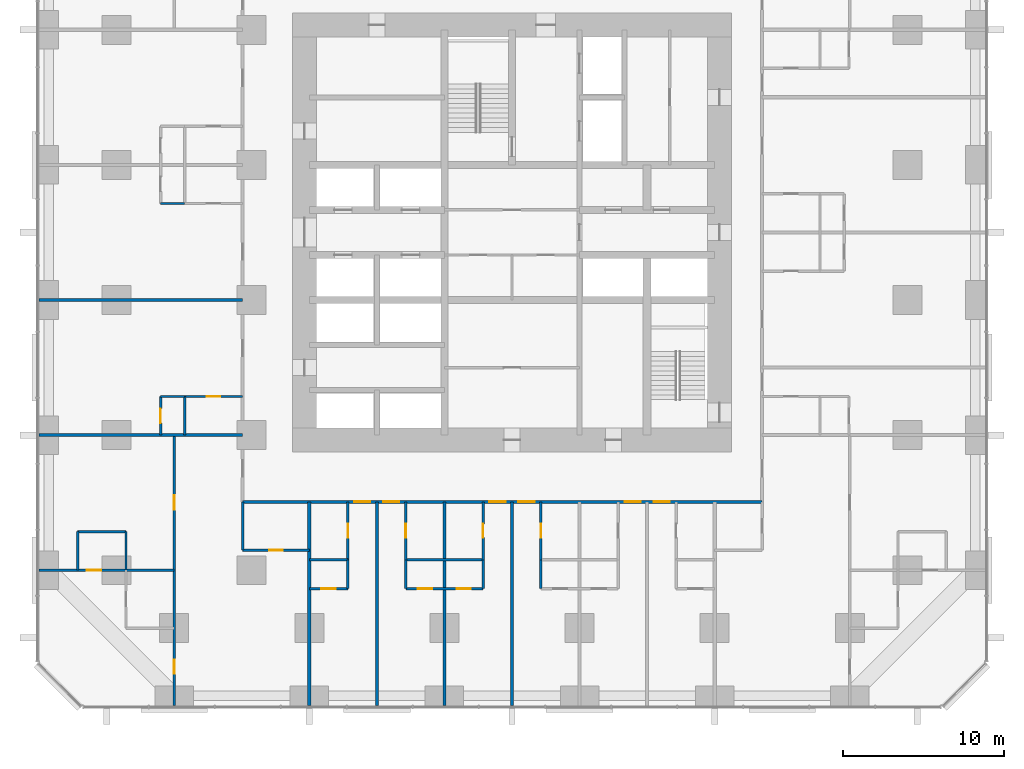
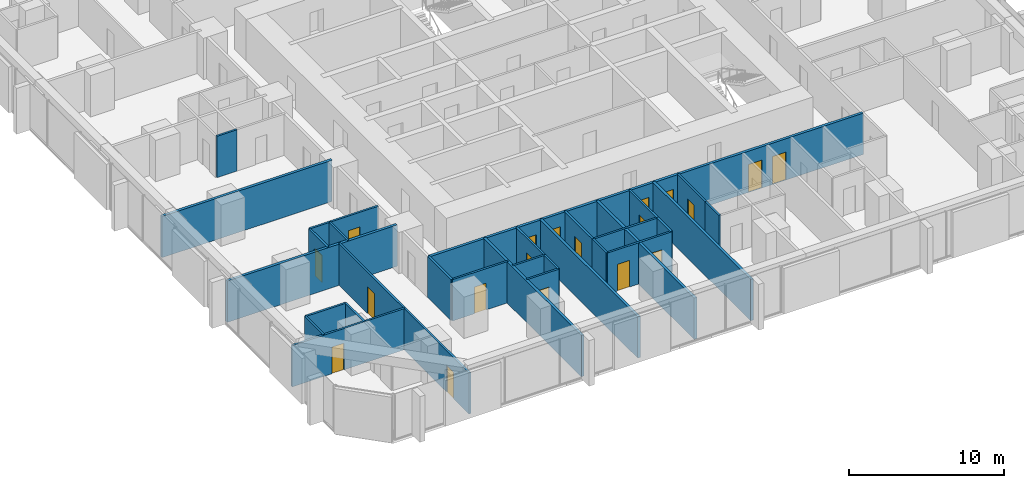
# One storey, part 11 of 17: 31 walls, 19 doors, 19 openings.
"""IFC4 building model written with IfcOpenShell, lengths in metres."""

from ifc_helpers import new_model, si_unit, direction, frame, frame_2d, origin, place, context, subcontext, project, spatial, rectangle, extrude, material, layer, layer_set, type_object, element, fill, save


model = new_model("IFC4")

# Units and contexts
model_context = context("Model", 3, precision=1e-05, world=origin(), true_north=direction((0.0, 1.0)))
body_context = subcontext(model_context, "Body", "Model", "MODEL_VIEW")
ifc_project = project(units=[si_unit("LENGTHUNIT", "METRE"), si_unit("AREAUNIT", "SQUARE_METRE"), si_unit("VOLUMEUNIT", "CUBIC_METRE"), si_unit("PLANEANGLEUNIT", "RADIAN"), si_unit("MASSUNIT", "GRAM", prefix="KILO")], contexts=[model_context])

# Site, building, storey
site_placement = place(None, origin())
site = spatial("IfcSite", under=ifc_project, at=site_placement, CompositionType="ELEMENT")
building_placement = place(site_placement, origin())
building = spatial("IfcBuilding", under=site, at=building_placement, Name="Dunama Terrace Hotel", CompositionType="ELEMENT")
storey_placement = place(building_placement, frame((0.0, 0.0, 73.800048828125)))
storey = spatial("IfcBuildingStorey", under=building, at=storey_placement, Name="L18", CompositionType="ELEMENT", Elevation=73.800048828125)

# Wall
ifc_material_1 = material(Name="Gypsum board partition", Category="masonry")
ifc_layer_1 = layer(ifc_material_1, 0.14990234375)
ifc_layer_set_1 = layer_set([ifc_layer_1], Name="Bathroom partition 150")
wall_type_1 = type_object("IfcWallType", Name="Bathroom partition 150", PredefinedType="PARTITIONING", material=ifc_layer_set_1)
wall_1_placement = place(storey_placement, frame((12.64990234375, 9.64990234375, 0.0), z_axis=(0.0, 0.0, 1.0), x_axis=(0.0, 1.0, 0.0)))
element("IfcWall", 1, at=wall_1_placement, inside=storey, type_object=wall_type_1, Name="Bathroom partition 150 L18", PredefinedType="PARTITIONING", context=body_context, shape_type="SweptSolid", body=[
    extrude(rectangle(XDim=3.0, YDim=0.14990234375, at=frame_2d((1.5, 0.0))), origin(), (0.0, 0.0, 1.0), 3.25),
])

# Wall, opening, door
wall_2_placement = place(storey_placement, frame((19.199951171875, 9.050048828125, 0.0), z_axis=(0.0, 0.0, 1.0), x_axis=(0.0, 1.0, 0.0)))
wall_2 = element("IfcWall", 2, at=wall_2_placement, inside=storey, type_object=wall_type_1, Name="Bathroom partition 150 L18", PredefinedType="PARTITIONING", context=body_context, shape_type="SweptSolid", body=[
    extrude(rectangle(XDim=3.599853515625, YDim=0.14990234375, at=frame_2d((1.7998046875, 0.0))), origin(), (0.0, 0.0, 1.0), 3.25),
])
opening_1_placement = place(wall_2_placement, frame((1.375, 0.0, 0.0)))
opening_1 = element("IfcOpeningElement", 3, at=opening_1_placement, cuts=wall_2, Name="Opening L17-19-010", PredefinedType="OPENING", context=body_context, shape_type="SweptSolid", body=[
    extrude(rectangle(XDim=0.85009765625, YDim=2.10009765625, at=frame_2d((0.425048828125, 1.050048828125))), frame((0.0, 0.0849609375, 0.0), z_axis=(0.0, -1.0, 0.0), x_axis=(1.0, 0.0, 0.0)), (0.0, 0.0, 1.0), 0.169921875),
])
ifc_material_2 = material(Name="Timber door with steel frame", Category="steel")
door_type_1 = type_object("IfcDoorType", Name="Bathroom door 850", OperationType="SINGLE_SWING_LEFT", PredefinedType="DOOR", material=ifc_material_2)
door_1_placement = place(opening_1_placement, origin())
door_1 = element("IfcDoor", 4, at=door_1_placement, inside=storey, type_object=door_type_1, Name="Door to en-suite bathroom L17-19-010, type D2", OperationType="SINGLE_SWING_RIGHT", OverallHeight=2.10009765625, OverallWidth=0.85009765625, PredefinedType="DOOR", context=body_context, shape_type="SweptSolid", body=[
    extrude(rectangle(XDim=0.85009765625, YDim=2.10009765625, at=frame_2d((0.425048828125, 1.050048828125))), frame((0.0, 0.02490234375, 0.0), z_axis=(0.0, -1.0, 0.0), x_axis=(1.0, 0.0, 0.0)), (0.0, 0.0, 1.0), 0.050048828125),
])
fill(opening_1, door_1)

wall_3_placement = place(storey_placement, frame((22.800048828125, 9.050048828125, 0.0), z_axis=(0.0, 0.0, 1.0), x_axis=(0.0, 1.0, 0.0)))
wall_3 = element("IfcWall", 5, at=wall_3_placement, inside=storey, type_object=wall_type_1, Name="Bathroom partition 150 L18", PredefinedType="PARTITIONING", context=body_context, shape_type="SweptSolid", body=[
    extrude(rectangle(XDim=3.599853515625, YDim=0.14990234375, at=frame_2d((1.7998046875, 0.0))), origin(), (0.0, 0.0, 1.0), 3.25),
])
opening_2_placement = place(wall_3_placement, frame((1.375, 0.0, 0.0)))
opening_2 = element("IfcOpeningElement", 6, at=opening_2_placement, cuts=wall_3, Name="Opening L17-19-013", PredefinedType="OPENING", context=body_context, shape_type="SweptSolid", body=[
    extrude(rectangle(XDim=0.85009765625, YDim=2.10009765625, at=frame_2d((0.425048828125, 1.050048828125))), frame((0.0, 0.0849609375, 0.0), z_axis=(0.0, -1.0, 0.0), x_axis=(1.0, 0.0, 0.0)), (0.0, 0.0, 1.0), 0.169921875),
])
door_2_placement = place(opening_2_placement, frame((0.85009765625, 0.0, 0.0), z_axis=(0.0, 0.0, 1.0), x_axis=(-1.0, 0.0, 0.0)))
door_2 = element("IfcDoor", 7, at=door_2_placement, inside=storey, type_object=door_type_1, Name="Door to en-suite bathroom L17-19-013, type D2", OperationType="SINGLE_SWING_LEFT", OverallHeight=2.10009765625, OverallWidth=0.85009765625, PredefinedType="DOOR", context=body_context, shape_type="SweptSolid", body=[
    extrude(rectangle(XDim=0.85009765625, YDim=2.10009765625, at=frame_2d((0.425048828125, 1.050048828125))), frame((0.0, 0.025146484375, 0.0), z_axis=(0.0, -1.0, 0.0), x_axis=(1.0, 0.0, 0.0)), (0.0, 0.0, 1.0), 0.050048828125),
])
fill(opening_2, door_2)

wall_4_placement = place(storey_placement, frame((27.60009765625, 9.050048828125, 0.0), z_axis=(0.0, 0.0, 1.0), x_axis=(0.0, 1.0, 0.0)))
wall_4 = element("IfcWall", 8, at=wall_4_placement, inside=storey, type_object=wall_type_1, Name="Bathroom partition 150 L18", PredefinedType="PARTITIONING", context=body_context, shape_type="SweptSolid", body=[
    extrude(rectangle(XDim=3.599853515625, YDim=0.14990234375, at=frame_2d((1.7998046875, 0.0))), origin(), (0.0, 0.0, 1.0), 3.25),
])
opening_3_placement = place(wall_4_placement, frame((1.375, 0.0, 0.0)))
opening_3 = element("IfcOpeningElement", 9, at=opening_3_placement, cuts=wall_4, Name="Opening L17-19-016", PredefinedType="OPENING", context=body_context, shape_type="SweptSolid", body=[
    extrude(rectangle(XDim=0.85009765625, YDim=2.10009765625, at=frame_2d((0.425048828125, 1.050048828125))), frame((0.0, 0.0849609375, 0.0), z_axis=(0.0, -1.0, 0.0), x_axis=(1.0, 0.0, 0.0)), (0.0, 0.0, 1.0), 0.169921875),
])
door_3_placement = place(opening_3_placement, origin())
door_3 = element("IfcDoor", 10, at=door_3_placement, inside=storey, type_object=door_type_1, Name="Door to en-suite bathroom L17-19-016, type D2", OperationType="SINGLE_SWING_RIGHT", OverallHeight=2.10009765625, OverallWidth=0.85009765625, PredefinedType="DOOR", context=body_context, shape_type="SweptSolid", body=[
    extrude(rectangle(XDim=0.85009765625, YDim=2.10009765625, at=frame_2d((0.425048828125, 1.050048828125))), frame((0.0, 0.02490234375, 0.0), z_axis=(0.0, -1.0, 0.0), x_axis=(1.0, 0.0, 0.0)), (0.0, 0.0, 1.0), 0.050048828125),
])
fill(opening_3, door_3)

wall_5_placement = place(storey_placement, frame((31.199951171875, 9.050048828125, 0.0), z_axis=(0.0, 0.0, 1.0), x_axis=(0.0, 1.0, 0.0)))
wall_5 = element("IfcWall", 11, at=wall_5_placement, inside=storey, type_object=wall_type_1, Name="Bathroom partition 150 L18", PredefinedType="PARTITIONING", context=body_context, shape_type="SweptSolid", body=[
    extrude(rectangle(XDim=3.599853515625, YDim=0.14990234375, at=frame_2d((1.7998046875, 0.0))), origin(), (0.0, 0.0, 1.0), 3.25),
])
opening_4_placement = place(wall_5_placement, frame((1.375, 0.0, 0.0)))
opening_4 = element("IfcOpeningElement", 12, at=opening_4_placement, cuts=wall_5, Name="Opening L17-19-019", PredefinedType="OPENING", context=body_context, shape_type="SweptSolid", body=[
    extrude(rectangle(XDim=0.85009765625, YDim=2.10009765625, at=frame_2d((0.425048828125, 1.050048828125))), frame((0.0, 0.0849609375, 0.0), z_axis=(0.0, -1.0, 0.0), x_axis=(1.0, 0.0, 0.0)), (0.0, 0.0, 1.0), 0.169921875),
])
door_4_placement = place(opening_4_placement, frame((0.85009765625, 0.0, 0.0), z_axis=(0.0, 0.0, 1.0), x_axis=(-1.0, 0.0, 0.0)))
door_4 = element("IfcDoor", 13, at=door_4_placement, inside=storey, type_object=door_type_1, Name="Door to en-suite bathroom L17-19-019, type D2", OperationType="SINGLE_SWING_LEFT", OverallHeight=2.10009765625, OverallWidth=0.85009765625, PredefinedType="DOOR", context=body_context, shape_type="SweptSolid", body=[
    extrude(rectangle(XDim=0.85009765625, YDim=2.10009765625, at=frame_2d((0.425048828125, 1.050048828125))), frame((0.0, 0.025146484375, 0.0), z_axis=(0.0, -1.0, 0.0), x_axis=(1.0, 0.0, 0.0)), (0.0, 0.0, 1.0), 0.050048828125),
])
fill(opening_4, door_4)

wall_6_placement = place(storey_placement, frame((12.64990234375, 9.64990234375, 0.0), z_axis=(0.0, 0.0, 1.0), x_axis=(1.0, 0.0, 0.0)))
wall_6 = element("IfcWall", 14, at=wall_6_placement, inside=storey, type_object=wall_type_1, Name="Bathroom partition 150 L18", PredefinedType="PARTITIONING", context=body_context, shape_type="SweptSolid", body=[
    extrude(rectangle(XDim=4.150146484375, YDim=0.14990234375, at=frame_2d((2.0751953125, 0.0))), origin(), (0.0, 0.0, 1.0), 3.25),
])
opening_5_placement = place(wall_6_placement, frame((1.64990234375, 0.0, 0.0)))
opening_5 = element("IfcOpeningElement", 15, at=opening_5_placement, cuts=wall_6, Name="Opening L17-19-061", PredefinedType="OPENING", context=body_context, shape_type="SweptSolid", body=[
    extrude(rectangle(XDim=0.85009765625, YDim=2.10009765625, at=frame_2d((0.425048828125, 1.050048828125))), frame((0.0, 0.0849609375, 0.0), z_axis=(0.0, -1.0, 0.0), x_axis=(1.0, 0.0, 0.0)), (0.0, 0.0, 1.0), 0.169921875),
])
door_5_placement = place(opening_5_placement, origin())
door_5 = element("IfcDoor", 16, at=door_5_placement, inside=storey, type_object=door_type_1, Name="Door to powder room L17-19-061, type D2", OperationType="SINGLE_SWING_LEFT", OverallHeight=2.10009765625, OverallWidth=0.85009765625, PredefinedType="DOOR", context=body_context, shape_type="SweptSolid", body=[
    extrude(rectangle(XDim=0.85009765625, YDim=2.10009765625, at=frame_2d((0.425048828125, 1.050048828125))), frame((0.0, 0.02490234375, 0.0), z_axis=(0.0, -1.0, 0.0), x_axis=(1.0, 0.0, 0.0)), (0.0, 0.0, 1.0), 0.050048828125),
])
fill(opening_5, door_5)

wall_7_placement = place(storey_placement, frame((9.050048828125, 19.199951171875, 0.0), z_axis=(0.0, 0.0, 1.0), x_axis=(1.0, 0.0, 0.0)))
wall_7 = element("IfcWall", 17, at=wall_7_placement, inside=storey, type_object=wall_type_1, Name="Bathroom partition 150 L18", PredefinedType="PARTITIONING", context=body_context, shape_type="SweptSolid", body=[
    extrude(rectangle(XDim=3.599853515625, YDim=0.14990234375, at=frame_2d((1.7998046875, 0.0))), origin(), (0.0, 0.0, 1.0), 3.25),
])
opening_6_placement = place(wall_7_placement, frame((1.375, 0.0, 0.0)))
opening_6 = element("IfcOpeningElement", 18, at=opening_6_placement, cuts=wall_7, Name="Opening L17-19-052", PredefinedType="OPENING", context=body_context, shape_type="SweptSolid", body=[
    extrude(rectangle(XDim=0.85009765625, YDim=2.10009765625, at=frame_2d((0.425048828125, 1.050048828125))), frame((0.0, 0.0849609375, 0.0), z_axis=(0.0, -1.0, 0.0), x_axis=(1.0, 0.0, 0.0)), (0.0, 0.0, 1.0), 0.169921875),
])
door_6_placement = place(opening_6_placement, frame((0.85009765625, 0.0, 0.0), z_axis=(0.0, 0.0, 1.0), x_axis=(-1.0, 0.0, 0.0)))
door_6 = element("IfcDoor", 19, at=door_6_placement, inside=storey, type_object=door_type_1, Name="Door to en-suite bathroom L17-19-052, type D2", OperationType="SINGLE_SWING_LEFT", OverallHeight=2.10009765625, OverallWidth=0.85009765625, PredefinedType="DOOR", context=body_context, shape_type="SweptSolid", body=[
    extrude(rectangle(XDim=0.85009765625, YDim=2.10009765625, at=frame_2d((0.425048828125, 1.050048828125))), frame((0.0, 0.025146484375, 0.0), z_axis=(0.0, -1.0, 0.0), x_axis=(1.0, 0.0, 0.0)), (0.0, 0.0, 1.0), 0.050048828125),
])
fill(opening_6, door_6)

# Wall, openings, doors
ifc_material_3 = material(Name="Concrete blockwork", Category="masonry")
ifc_layer_2 = layer(ifc_material_3, 0.199951171875)
ifc_layer_set_2 = layer_set([ifc_layer_2], Name="Corridor partition 200")
wall_type_2 = type_object("IfcWallType", Name="Corridor partition 200", PredefinedType="PARTITIONING", material=ifc_layer_set_2)
wall_8_placement = place(storey_placement, frame((44.949951171875, 12.64990234375, 0.0), z_axis=(0.0, 0.0, 1.0), x_axis=(-1.0, 0.0, 0.0)))
wall_8 = element("IfcWall", 20, at=wall_8_placement, inside=storey, type_object=wall_type_2, Name="Corridor partition 200 L18", PredefinedType="PARTITIONING", context=body_context, shape_type="SweptSolid", body=[
    extrude(rectangle(XDim=32.300048828125, YDim=0.199951171875, at=frame_2d((16.14990234375, 0.0))), origin(), (0.0, 0.0, 1.0), 3.25),
])
opening_7_placement = place(wall_8_placement, frame((24.35009765625, 0.0, 0.0)))
opening_7 = element("IfcOpeningElement", 21, at=opening_7_placement, cuts=wall_8, Name="Opening L17-19-009", PredefinedType="OPENING", context=body_context, shape_type="SweptSolid", body=[
    extrude(rectangle(XDim=1.0, YDim=2.199951171875, at=frame_2d((0.5, 1.10009765625))), frame((0.0, 0.10986328125, 0.0), z_axis=(0.0, -1.0, 0.0), x_axis=(1.0, 0.0, 0.0)), (0.0, 0.0, 1.0), 0.219970703125),
])
opening_8_placement = place(wall_8_placement, frame((22.550048828125, 0.0, 0.0)))
opening_8 = element("IfcOpeningElement", 22, at=opening_8_placement, cuts=wall_8, Name="Opening L17-19-012", PredefinedType="OPENING", context=body_context, shape_type="SweptSolid", body=[
    extrude(rectangle(XDim=1.0, YDim=2.199951171875, at=frame_2d((0.5, 1.10009765625))), frame((0.0, 0.10986328125, 0.0), z_axis=(0.0, -1.0, 0.0), x_axis=(1.0, 0.0, 0.0)), (0.0, 0.0, 1.0), 0.219970703125),
])
opening_9_placement = place(wall_8_placement, frame((15.949951171875, 0.0, 0.0)))
opening_9 = element("IfcOpeningElement", 23, at=opening_9_placement, cuts=wall_8, Name="Opening L17-19-015", PredefinedType="OPENING", context=body_context, shape_type="SweptSolid", body=[
    extrude(rectangle(XDim=1.0, YDim=2.199951171875, at=frame_2d((0.5, 1.10009765625))), frame((0.0, 0.10986328125, 0.0), z_axis=(0.0, -1.0, 0.0), x_axis=(1.0, 0.0, 0.0)), (0.0, 0.0, 1.0), 0.219970703125),
])
opening_10_placement = place(wall_8_placement, frame((14.14990234375, 0.0, 0.0)))
opening_10 = element("IfcOpeningElement", 24, at=opening_10_placement, cuts=wall_8, Name="Opening L17-19-018", PredefinedType="OPENING", context=body_context, shape_type="SweptSolid", body=[
    extrude(rectangle(XDim=1.0, YDim=2.199951171875, at=frame_2d((0.5, 1.10009765625))), frame((0.0, 0.10986328125, 0.0), z_axis=(0.0, -1.0, 0.0), x_axis=(1.0, 0.0, 0.0)), (0.0, 0.0, 1.0), 0.219970703125),
])
opening_11_placement = place(wall_8_placement, frame((7.550048828125, 0.0, 0.0)))
opening_11 = element("IfcOpeningElement", 25, at=opening_11_placement, cuts=wall_8, Name="Opening L17-19-021", PredefinedType="OPENING", context=body_context, shape_type="SweptSolid", body=[
    extrude(rectangle(XDim=1.0, YDim=2.199951171875, at=frame_2d((0.5, 1.10009765625))), frame((0.0, 0.10986328125, 0.0), z_axis=(0.0, -1.0, 0.0), x_axis=(1.0, 0.0, 0.0)), (0.0, 0.0, 1.0), 0.219970703125),
])
opening_12_placement = place(wall_8_placement, frame((5.75, 0.0, 0.0)))
opening_12 = element("IfcOpeningElement", 26, at=opening_12_placement, cuts=wall_8, Name="Opening L17-19-024", PredefinedType="OPENING", context=body_context, shape_type="SweptSolid", body=[
    extrude(rectangle(XDim=1.0, YDim=2.199951171875, at=frame_2d((0.5, 1.10009765625))), frame((0.0, 0.10986328125, 0.0), z_axis=(0.0, -1.0, 0.0), x_axis=(1.0, 0.0, 0.0)), (0.0, 0.0, 1.0), 0.219970703125),
])
ifc_material_4 = material(Name="Timber door with steel frame", Category="steel")
door_type_2 = type_object("IfcDoorType", Name="Guest room door 1000", OperationType="SINGLE_SWING_LEFT", PredefinedType="DOOR", material=ifc_material_4)
door_7_placement = place(opening_7_placement, origin())
door_7 = element("IfcDoor", 27, at=door_7_placement, inside=storey, type_object=door_type_2, Name="Door to deluxe room L17-19-009, type D1", OperationType="SINGLE_SWING_LEFT", OverallHeight=2.199951171875, OverallWidth=1.0, PredefinedType="DOOR", context=body_context, shape_type="SweptSolid", body=[
    extrude(rectangle(XDim=1.0, YDim=2.199951171875, at=frame_2d((0.5, 1.10009765625))), frame((0.0, 0.02490234375, 0.0), z_axis=(0.0, -1.0, 0.0), x_axis=(1.0, 0.0, 0.0)), (0.0, 0.0, 1.0), 0.050048828125),
])
fill(opening_7, door_7)
door_8_placement = place(opening_8_placement, origin())
door_8 = element("IfcDoor", 28, at=door_8_placement, inside=storey, type_object=door_type_2, Name="Door to deluxe room L17-19-012, type D1", OperationType="SINGLE_SWING_RIGHT", OverallHeight=2.199951171875, OverallWidth=1.0, PredefinedType="DOOR", context=body_context, shape_type="SweptSolid", body=[
    extrude(rectangle(XDim=1.0, YDim=2.199951171875, at=frame_2d((0.5, 1.10009765625))), frame((0.0, 0.02490234375, 0.0), z_axis=(0.0, -1.0, 0.0), x_axis=(1.0, 0.0, 0.0)), (0.0, 0.0, 1.0), 0.050048828125),
])
fill(opening_8, door_8)
door_9_placement = place(opening_9_placement, origin())
door_9 = element("IfcDoor", 29, at=door_9_placement, inside=storey, type_object=door_type_2, Name="Door to deluxe room L17-19-015, type D1", OperationType="SINGLE_SWING_LEFT", OverallHeight=2.199951171875, OverallWidth=1.0, PredefinedType="DOOR", context=body_context, shape_type="SweptSolid", body=[
    extrude(rectangle(XDim=1.0, YDim=2.199951171875, at=frame_2d((0.5, 1.10009765625))), frame((0.0, 0.02490234375, 0.0), z_axis=(0.0, -1.0, 0.0), x_axis=(1.0, 0.0, 0.0)), (0.0, 0.0, 1.0), 0.050048828125),
])
fill(opening_9, door_9)
door_10_placement = place(opening_10_placement, origin())
door_10 = element("IfcDoor", 30, at=door_10_placement, inside=storey, type_object=door_type_2, Name="Door to deluxe room L17-19-018, type D1", OperationType="SINGLE_SWING_RIGHT", OverallHeight=2.199951171875, OverallWidth=1.0, PredefinedType="DOOR", context=body_context, shape_type="SweptSolid", body=[
    extrude(rectangle(XDim=1.0, YDim=2.199951171875, at=frame_2d((0.5, 1.10009765625))), frame((0.0, 0.02490234375, 0.0), z_axis=(0.0, -1.0, 0.0), x_axis=(1.0, 0.0, 0.0)), (0.0, 0.0, 1.0), 0.050048828125),
])
fill(opening_10, door_10)
door_11_placement = place(opening_11_placement, origin())
door_11 = element("IfcDoor", 31, at=door_11_placement, inside=storey, type_object=door_type_2, Name="Door to deluxe room L17-19-021, type D1", OperationType="SINGLE_SWING_LEFT", OverallHeight=2.199951171875, OverallWidth=1.0, PredefinedType="DOOR", context=body_context, shape_type="SweptSolid", body=[
    extrude(rectangle(XDim=1.0, YDim=2.199951171875, at=frame_2d((0.5, 1.10009765625))), frame((0.0, 0.02490234375, 0.0), z_axis=(0.0, -1.0, 0.0), x_axis=(1.0, 0.0, 0.0)), (0.0, 0.0, 1.0), 0.050048828125),
])
fill(opening_11, door_11)
door_12_placement = place(opening_12_placement, origin())
door_12 = element("IfcDoor", 32, at=door_12_placement, inside=storey, type_object=door_type_2, Name="Door to deluxe room L17-19-024, type D1", OperationType="SINGLE_SWING_RIGHT", OverallHeight=2.199951171875, OverallWidth=1.0, PredefinedType="DOOR", context=body_context, shape_type="SweptSolid", body=[
    extrude(rectangle(XDim=1.0, YDim=2.199951171875, at=frame_2d((0.5, 1.10009765625))), frame((0.0, 0.02490234375, 0.0), z_axis=(0.0, -1.0, 0.0), x_axis=(1.0, 0.0, 0.0)), (0.0, 0.0, 1.0), 0.050048828125),
])
fill(opening_12, door_12)

# Walls
ifc_material_5 = material(Name="Concrete blockwork", Category="masonry")
ifc_layer_3 = layer(ifc_material_5, 0.199951171875)
ifc_layer_set_3 = layer_set([ifc_layer_3], Name="Party wall 200")
wall_type_3 = type_object("IfcWallType", Name="Party wall 200", PredefinedType="PARTITIONING", material=ifc_layer_set_3)
for number, where, z_axis, x_axis, name in (
    (33, (16.800048828125, -0.008056640625, 0.0), (0.0, 0.0, 1.0), (0.0, 1.0, 0.0), "Party wall 200 L18"),
    (34, (21.0, -0.008056640625, 0.0), (0.0, 0.0, 1.0), (0.0, 1.0, 0.0), "Party wall 200 L18"),
    (35, (25.199951171875, -0.008056640625, 0.0), (0.0, 0.0, 1.0), (0.0, 1.0, 0.0), "Party wall 200 L18"),
    (36, (29.39990234375, -0.008056640625, 0.0), (0.0, 0.0, 1.0), (0.0, 1.0, 0.0), "Party wall 200 L18"),
    (37, (-0.008056640625, 16.800048828125, 0.0), (0.0, 0.0, 1.0), (1.0, 0.0, 0.0), "Party wall 200 L18"),
    (38, (-0.008056640625, 25.199951171875, 0.0), (0.0, 0.0, 1.0), (1.0, 0.0, 0.0), "Party wall 200 L18"),
):
    element("IfcWall", number, at=place(storey_placement, frame(where, z_axis=z_axis, x_axis=x_axis)), inside=storey, type_object=wall_type_3, Name=name, PredefinedType="PARTITIONING", context=body_context, shape_type="SweptSolid", body=[
        extrude(rectangle(XDim=12.657958984375, YDim=0.199951171875, at=frame_2d((6.3291015625, 0.0))), origin(), (0.0, 0.0, 1.0), 3.25),
    ])
ifc_material_6 = material(Name="Gypsum board partition", Category="masonry")
ifc_layer_4 = layer(ifc_material_6, 0.14990234375)
ifc_layer_set_4 = layer_set([ifc_layer_4], Name="Room partition 150")
wall_type_4 = type_object("IfcWallType", Name="Room partition 150", PredefinedType="PARTITIONING", material=ifc_layer_set_4)
for number, where, z_axis, x_axis, name in (
    (39, (2.39990234375, 8.39990234375, 0.0), (0.0, 0.0, 1.0), (0.0, 1.0, 0.0), "Room partition 150 L18"),
    (40, (5.39990234375, 8.39990234375, 0.0), (0.0, 0.0, 1.0), (0.0, 1.0, 0.0), "Room partition 150 L18"),
):
    element("IfcWall", number, at=place(storey_placement, frame(where, z_axis=z_axis, x_axis=x_axis)), inside=storey, type_object=wall_type_4, Name=name, PredefinedType="PARTITIONING", context=body_context, shape_type="SweptSolid", body=[
        extrude(rectangle(XDim=2.400146484375, YDim=0.14990234375, at=frame_2d((1.2001953125, 0.0))), origin(), (0.0, 0.0, 1.0), 3.25),
    ])

# Wall, opening, door
wall_9_placement = place(storey_placement, frame((7.550048828125, 16.800048828125, 0.0), z_axis=(0.0, 0.0, 1.0), x_axis=(0.0, 1.0, 0.0)))
wall_9 = element("IfcWall", 41, at=wall_9_placement, inside=storey, type_object=wall_type_4, Name="Room partition 150 L18", PredefinedType="PARTITIONING", context=body_context, shape_type="SweptSolid", body=[
    extrude(rectangle(XDim=2.39990234375, YDim=0.14990234375, at=frame_2d((1.199951171875, 0.0))), origin(), (0.0, 0.0, 1.0), 3.25),
])
opening_13_placement = place(wall_9_placement, frame((0.75, 0.0, 0.0)))
opening_13 = element("IfcOpeningElement", 42, at=opening_13_placement, cuts=wall_9, Name="Opening L17-19-053", PredefinedType="OPENING", context=body_context, shape_type="SweptSolid", body=[
    extrude(rectangle(XDim=0.89990234375, YDim=2.10009765625, at=frame_2d((0.449951171875, 1.050048828125))), frame((0.0, 0.0849609375, 0.0), z_axis=(0.0, -1.0, 0.0), x_axis=(1.0, 0.0, 0.0)), (0.0, 0.0, 1.0), 0.169921875),
])
ifc_material_7 = material(Name="Timber door with steel frame", Category="steel")
door_type_3 = type_object("IfcDoorType", Name="Suite internal door 900", OperationType="SINGLE_SWING_LEFT", PredefinedType="DOOR", material=ifc_material_7)
door_13_placement = place(opening_13_placement, frame((0.89990234375, 0.0, 0.0), z_axis=(0.0, 0.0, 1.0), x_axis=(-1.0, 0.0, 0.0)))
door_13 = element("IfcDoor", 43, at=door_13_placement, inside=storey, type_object=door_type_3, Name="Door to walk-in wardrobe L17-19-053, type D16", OperationType="SINGLE_SWING_RIGHT", OverallHeight=2.10009765625, OverallWidth=0.89990234375, PredefinedType="DOOR", context=body_context, shape_type="SweptSolid", body=[
    extrude(rectangle(XDim=0.89990234375, YDim=2.10009765625, at=frame_2d((0.449951171875, 1.050048828125))), frame((0.0, 0.025146484375, 0.0), z_axis=(0.0, -1.0, 0.0), x_axis=(1.0, 0.0, 0.0)), (0.0, 0.0, 1.0), 0.050048828125),
])
fill(opening_13, door_13)

# Wall, openings, doors
wall_10_placement = place(storey_placement, frame((8.39990234375, -0.008056640625, 0.0), z_axis=(0.0, 0.0, 1.0), x_axis=(0.0, 1.0, 0.0)))
wall_10 = element("IfcWall", 44, at=wall_10_placement, inside=storey, type_object=wall_type_4, Name="Room partition 150 L18", PredefinedType="PARTITIONING", context=body_context, shape_type="SweptSolid", body=[
    extrude(rectangle(XDim=16.80810546875, YDim=0.14990234375, at=frame_2d((8.404052734375, 0.0))), origin(), (0.0, 0.0, 1.0), 3.25),
])
opening_14_placement = place(wall_10_placement, frame((1.9580078125, 0.0, 0.0)))
opening_14 = element("IfcOpeningElement", 45, at=opening_14_placement, cuts=wall_10, Name="Opening L17-19-062", PredefinedType="OPENING", context=body_context, shape_type="SweptSolid", body=[
    extrude(rectangle(XDim=0.89990234375, YDim=2.10009765625, at=frame_2d((0.449951171875, 1.050048828125))), frame((0.0, 0.0849609375, 0.0), z_axis=(0.0, -1.0, 0.0), x_axis=(1.0, 0.0, 0.0)), (0.0, 0.0, 1.0), 0.169921875),
])
opening_15_placement = place(wall_10_placement, frame((12.157958984375, 0.0, 0.0)))
opening_15 = element("IfcOpeningElement", 46, at=opening_15_placement, cuts=wall_10, Name="Opening L17-19-065", PredefinedType="OPENING", context=body_context, shape_type="SweptSolid", body=[
    extrude(rectangle(XDim=0.89990234375, YDim=2.10009765625, at=frame_2d((0.449951171875, 1.050048828125))), frame((0.0, 0.0849609375, 0.0), z_axis=(0.0, -1.0, 0.0), x_axis=(1.0, 0.0, 0.0)), (0.0, 0.0, 1.0), 0.169921875),
])
door_14_placement = place(opening_14_placement, origin())
door_14 = element("IfcDoor", 47, at=door_14_placement, inside=storey, type_object=door_type_3, Name="Door to corner suite bedroom L17-19-062, type D16", OperationType="SINGLE_SWING_LEFT", OverallHeight=2.10009765625, OverallWidth=0.89990234375, PredefinedType="DOOR", context=body_context, shape_type="SweptSolid", body=[
    extrude(rectangle(XDim=0.89990234375, YDim=2.10009765625, at=frame_2d((0.449951171875, 1.050048828125))), frame((0.0, 0.02490234375, 0.0), z_axis=(0.0, -1.0, 0.0), x_axis=(1.0, 0.0, 0.0)), (0.0, 0.0, 1.0), 0.050048828125),
])
fill(opening_14, door_14)
door_15_placement = place(opening_15_placement, origin())
door_15 = element("IfcDoor", 48, at=door_15_placement, inside=storey, type_object=door_type_3, Name="Door to corner suite study L17-19-065, type D16", OperationType="SINGLE_SWING_LEFT", OverallHeight=2.10009765625, OverallWidth=0.89990234375, PredefinedType="DOOR", context=body_context, shape_type="SweptSolid", body=[
    extrude(rectangle(XDim=0.89990234375, YDim=2.10009765625, at=frame_2d((0.449951171875, 1.050048828125))), frame((0.0, 0.02490234375, 0.0), z_axis=(0.0, -1.0, 0.0), x_axis=(1.0, 0.0, 0.0)), (0.0, 0.0, 1.0), 0.050048828125),
])
fill(opening_15, door_15)

# Walls
wall_11_placement = place(storey_placement, frame((9.050048828125, 16.800048828125, 0.0), z_axis=(0.0, 0.0, 1.0), x_axis=(0.0, 1.0, 0.0)))
element("IfcWall", 49, at=wall_11_placement, inside=storey, type_object=wall_type_4, Name="Room partition 150 L18", PredefinedType="PARTITIONING", context=body_context, shape_type="SweptSolid", body=[
    extrude(rectangle(XDim=2.39990234375, YDim=0.14990234375, at=frame_2d((1.199951171875, 0.0))), origin(), (0.0, 0.0, 1.0), 3.25),
])
for number, where, z_axis, x_axis, name in (
    (50, (19.199951171875, 7.25, 0.0), (0.0, 0.0, 1.0), (0.0, 1.0, 0.0), "Room partition 150 L18"),
    (51, (22.800048828125, 7.25, 0.0), (0.0, 0.0, 1.0), (0.0, 1.0, 0.0), "Room partition 150 L18"),
    (52, (27.60009765625, 7.25, 0.0), (0.0, 0.0, 1.0), (0.0, 1.0, 0.0), "Room partition 150 L18"),
    (53, (31.199951171875, 7.25, 0.0), (0.0, 0.0, 1.0), (0.0, 1.0, 0.0), "Room partition 150 L18"),
):
    element("IfcWall", number, at=place(storey_placement, frame(where, z_axis=z_axis, x_axis=x_axis)), inside=storey, type_object=wall_type_4, Name=name, PredefinedType="PARTITIONING", context=body_context, shape_type="SweptSolid", body=[
        extrude(rectangle(XDim=1.800048828125, YDim=0.14990234375, at=frame_2d((0.89990234375, 0.0))), origin(), (0.0, 0.0, 1.0), 3.25),
    ])

# Wall, opening, door
wall_12_placement = place(storey_placement, frame((16.800048828125, 7.25, 0.0), z_axis=(0.0, 0.0, 1.0), x_axis=(1.0, 0.0, 0.0)))
wall_12 = element("IfcWall", 54, at=wall_12_placement, inside=storey, type_object=wall_type_4, Name="Room partition 150 L18", PredefinedType="PARTITIONING", context=body_context, shape_type="SweptSolid", body=[
    extrude(rectangle(XDim=2.39990234375, YDim=0.14990234375, at=frame_2d((1.199951171875, 0.0))), origin(), (0.0, 0.0, 1.0), 3.25),
])
opening_16_placement = place(wall_12_placement, frame((0.75, 0.0, 0.0)))
opening_16 = element("IfcOpeningElement", 55, at=opening_16_placement, cuts=wall_12, Name="Opening L17-19-011", PredefinedType="OPENING", context=body_context, shape_type="SweptSolid", body=[
    extrude(rectangle(XDim=0.89990234375, YDim=2.10009765625, at=frame_2d((0.449951171875, 1.050048828125))), frame((0.0, 0.0849609375, 0.0), z_axis=(0.0, -1.0, 0.0), x_axis=(1.0, 0.0, 0.0)), (0.0, 0.0, 1.0), 0.169921875),
])
door_16_placement = place(opening_16_placement, origin())
door_16 = element("IfcDoor", 56, at=door_16_placement, inside=storey, type_object=door_type_3, Name="Door to walk-in wardrobe L17-19-011, type D16", OperationType="SINGLE_SWING_LEFT", OverallHeight=2.10009765625, OverallWidth=0.89990234375, PredefinedType="DOOR", context=body_context, shape_type="SweptSolid", body=[
    extrude(rectangle(XDim=0.89990234375, YDim=2.10009765625, at=frame_2d((0.449951171875, 1.050048828125))), frame((0.0, 0.02490234375, 0.0), z_axis=(0.0, -1.0, 0.0), x_axis=(1.0, 0.0, 0.0)), (0.0, 0.0, 1.0), 0.050048828125),
])
fill(opening_16, door_16)

# Wall, openings, doors
wall_13_placement = place(storey_placement, frame((22.800048828125, 7.25, 0.0), z_axis=(0.0, 0.0, 1.0), x_axis=(1.0, 0.0, 0.0)))
wall_13 = element("IfcWall", 57, at=wall_13_placement, inside=storey, type_object=wall_type_4, Name="Room partition 150 L18", PredefinedType="PARTITIONING", context=body_context, shape_type="SweptSolid", body=[
    extrude(rectangle(XDim=4.800048828125, YDim=0.14990234375, at=frame_2d((2.39990234375, 0.0))), origin(), (0.0, 0.0, 1.0), 3.25),
])
opening_17_placement = place(wall_13_placement, frame((0.75, 0.0, 0.0)))
opening_17 = element("IfcOpeningElement", 58, at=opening_17_placement, cuts=wall_13, Name="Opening L17-19-014", PredefinedType="OPENING", context=body_context, shape_type="SweptSolid", body=[
    extrude(rectangle(XDim=0.89990234375, YDim=2.10009765625, at=frame_2d((0.449951171875, 1.050048828125))), frame((0.0, 0.0849609375, 0.0), z_axis=(0.0, -1.0, 0.0), x_axis=(1.0, 0.0, 0.0)), (0.0, 0.0, 1.0), 0.169921875),
])
opening_18_placement = place(wall_13_placement, frame((3.14990234375, 0.0, 0.0)))
opening_18 = element("IfcOpeningElement", 59, at=opening_18_placement, cuts=wall_13, Name="Opening L17-19-017", PredefinedType="OPENING", context=body_context, shape_type="SweptSolid", body=[
    extrude(rectangle(XDim=0.89990234375, YDim=2.10009765625, at=frame_2d((0.449951171875, 1.050048828125))), frame((0.0, 0.0849609375, 0.0), z_axis=(0.0, -1.0, 0.0), x_axis=(1.0, 0.0, 0.0)), (0.0, 0.0, 1.0), 0.169921875),
])
door_17_placement = place(opening_17_placement, origin())
door_17 = element("IfcDoor", 60, at=door_17_placement, inside=storey, type_object=door_type_3, Name="Door to walk-in wardrobe L17-19-014, type D16", OperationType="SINGLE_SWING_RIGHT", OverallHeight=2.10009765625, OverallWidth=0.89990234375, PredefinedType="DOOR", context=body_context, shape_type="SweptSolid", body=[
    extrude(rectangle(XDim=0.89990234375, YDim=2.10009765625, at=frame_2d((0.449951171875, 1.050048828125))), frame((0.0, 0.02490234375, 0.0), z_axis=(0.0, -1.0, 0.0), x_axis=(1.0, 0.0, 0.0)), (0.0, 0.0, 1.0), 0.050048828125),
])
fill(opening_17, door_17)
door_18_placement = place(opening_18_placement, origin())
door_18 = element("IfcDoor", 61, at=door_18_placement, inside=storey, type_object=door_type_3, Name="Door to walk-in wardrobe L17-19-017, type D16", OperationType="SINGLE_SWING_LEFT", OverallHeight=2.10009765625, OverallWidth=0.89990234375, PredefinedType="DOOR", context=body_context, shape_type="SweptSolid", body=[
    extrude(rectangle(XDim=0.89990234375, YDim=2.10009765625, at=frame_2d((0.449951171875, 1.050048828125))), frame((0.0, 0.02490234375, 0.0), z_axis=(0.0, -1.0, 0.0), x_axis=(1.0, 0.0, 0.0)), (0.0, 0.0, 1.0), 0.050048828125),
])
fill(opening_18, door_18)

# Wall, opening, door
wall_14_placement = place(storey_placement, frame((-0.008056640625, 8.39990234375, 0.0), z_axis=(0.0, 0.0, 1.0), x_axis=(1.0, 0.0, 0.0)))
wall_14 = element("IfcWall", 62, at=wall_14_placement, inside=storey, type_object=wall_type_4, Name="Room partition 150 L18", PredefinedType="PARTITIONING", context=body_context, shape_type="SweptSolid", body=[
    extrude(rectangle(XDim=8.407958984375, YDim=0.14990234375, at=frame_2d((4.2041015625, 0.0))), origin(), (0.0, 0.0, 1.0), 3.25),
])
opening_19_placement = place(wall_14_placement, frame((2.9580078125, 0.0, 0.0)))
opening_19 = element("IfcOpeningElement", 63, at=opening_19_placement, cuts=wall_14, Name="Opening L17-19-064", PredefinedType="OPENING", context=body_context, shape_type="SweptSolid", body=[
    extrude(rectangle(XDim=0.89990234375, YDim=2.10009765625, at=frame_2d((0.449951171875, 1.050048828125))), frame((0.0, 0.0849609375, 0.0), z_axis=(0.0, -1.0, 0.0), x_axis=(1.0, 0.0, 0.0)), (0.0, 0.0, 1.0), 0.169921875),
])
door_19_placement = place(opening_19_placement, origin())
door_19 = element("IfcDoor", 64, at=door_19_placement, inside=storey, type_object=door_type_3, Name="Door to dressing room L17-19-064, type D16", OperationType="SINGLE_SWING_RIGHT", OverallHeight=2.10009765625, OverallWidth=0.89990234375, PredefinedType="DOOR", context=body_context, shape_type="SweptSolid", body=[
    extrude(rectangle(XDim=0.89990234375, YDim=2.10009765625, at=frame_2d((0.449951171875, 1.050048828125))), frame((0.0, 0.02490234375, 0.0), z_axis=(0.0, -1.0, 0.0), x_axis=(1.0, 0.0, 0.0)), (0.0, 0.0, 1.0), 0.050048828125),
])
fill(opening_19, door_19)

# Walls
wall_15_placement = place(storey_placement, frame((16.800048828125, 9.050048828125, 0.0), z_axis=(0.0, 0.0, 1.0), x_axis=(1.0, 0.0, 0.0)))
element("IfcWall", 65, at=wall_15_placement, inside=storey, type_object=wall_type_4, Name="Room partition 150 L18", PredefinedType="PARTITIONING", context=body_context, shape_type="SweptSolid", body=[
    extrude(rectangle(XDim=2.39990234375, YDim=0.14990234375, at=frame_2d((1.199951171875, 0.0))), origin(), (0.0, 0.0, 1.0), 3.25),
])
wall_16_placement = place(storey_placement, frame((22.800048828125, 9.050048828125, 0.0), z_axis=(0.0, 0.0, 1.0), x_axis=(1.0, 0.0, 0.0)))
element("IfcWall", 66, at=wall_16_placement, inside=storey, type_object=wall_type_4, Name="Room partition 150 L18", PredefinedType="PARTITIONING", context=body_context, shape_type="SweptSolid", body=[
    extrude(rectangle(XDim=4.800048828125, YDim=0.14990234375, at=frame_2d((2.39990234375, 0.0))), origin(), (0.0, 0.0, 1.0), 3.25),
])
wall_17_placement = place(storey_placement, frame((2.39990234375, 10.800048828125, 0.0), z_axis=(0.0, 0.0, 1.0), x_axis=(1.0, 0.0, 0.0)))
element("IfcWall", 67, at=wall_17_placement, inside=storey, type_object=wall_type_4, Name="Room partition 150 L18", PredefinedType="PARTITIONING", context=body_context, shape_type="SweptSolid", body=[
    extrude(rectangle(XDim=3.0, YDim=0.14990234375, at=frame_2d((1.5, 0.0))), origin(), (0.0, 0.0, 1.0), 3.25),
])
for number, where, z_axis, x_axis, name in (
    (68, (7.550048828125, 19.199951171875, 0.0), (0.0, 0.0, 1.0), (1.0, 0.0, 0.0), "Room partition 150 L18"),
    (69, (7.550048828125, 31.199951171875, 0.0), (0.0, 0.0, 1.0), (1.0, 0.0, 0.0), "Room partition 150 L18"),
):
    element("IfcWall", number, at=place(storey_placement, frame(where, z_axis=z_axis, x_axis=x_axis)), inside=storey, type_object=wall_type_4, Name=name, PredefinedType="PARTITIONING", context=body_context, shape_type="SweptSolid", body=[
        extrude(rectangle(XDim=1.5, YDim=0.14990234375, at=frame_2d((0.75, 0.0))), origin(), (0.0, 0.0, 1.0), 3.25),
    ])

save(model, "model.ifc")
